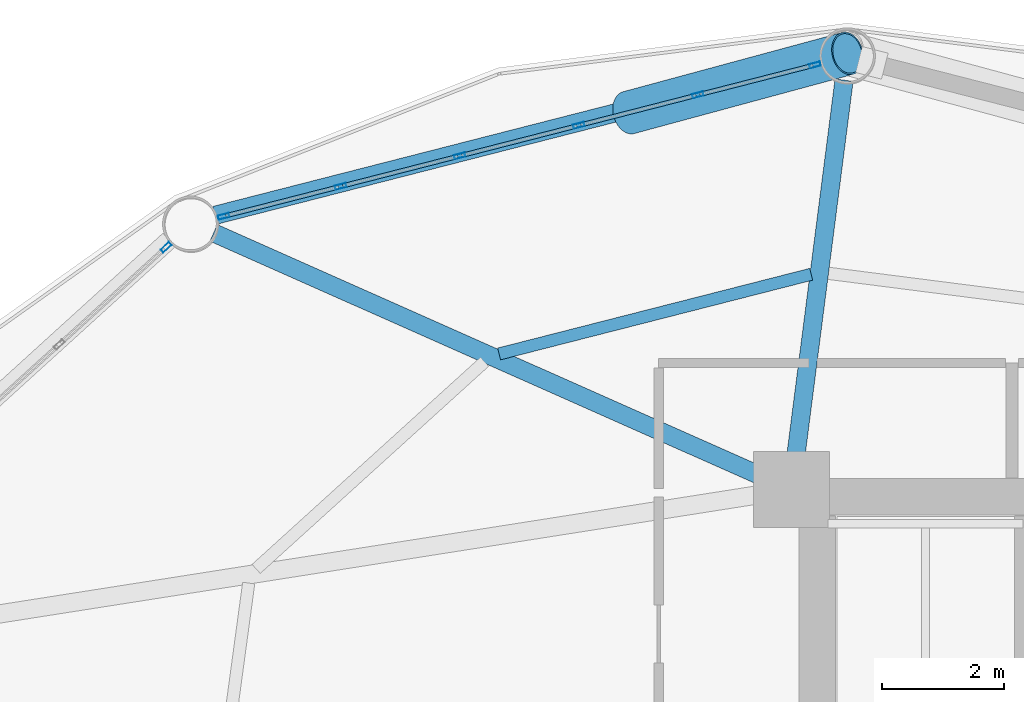
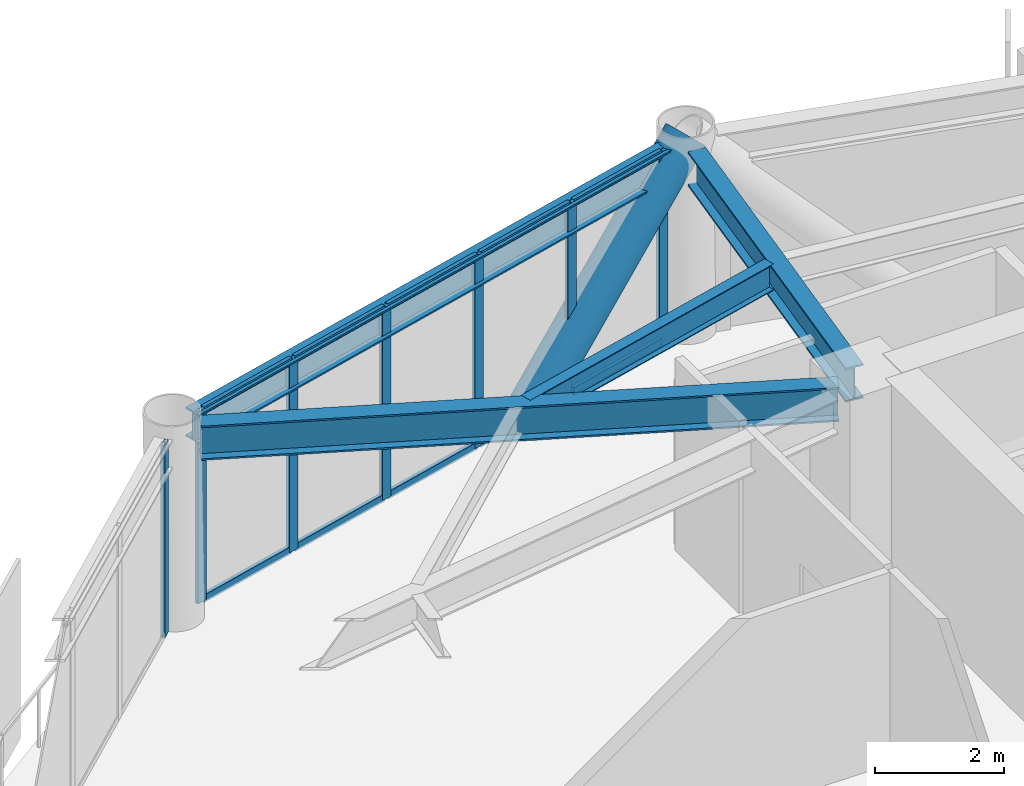
# One storey, part 16 of 25: 18 members, 4 beams, 2 elements without a shape of their own.
"""IFC4 building model written with IfcOpenShell, lengths in metres."""

import ifcopenshell
import ifcopenshell.guid

model = None  # the IFC model being written
_history = None  # IfcOwnerHistory: only IFC2X3 demands one
_inside = {}  # id of a spatial element -> (the spatial element, [elements in it])
_under = {}  # id of a project, library or spatial element -> (it, [spatial elements below it])
_declared = {}  # id of a project -> (the project, [libraries it declares])
_typed = {}  # id of a type object -> (the type object, [elements of that type])
_made_of = {}  # id of a material, layer set ... -> (it, [elements and type objects made of it])


def new_model(schema):
    """Start an empty IFC model of exactly this schema.

    Asked for "IFC4X3", IfcOpenShell would pick the latest addendum, in which some entities
    have other attributes; the version numbers below select the first issue.
    IFC2X3 requires an IfcOwnerHistory on every rooted entity: one is made here for all.
    """
    global model, _history
    if schema == "IFC4X3":
        model = ifcopenshell.file(schema_version=(4, 3, 0, 0))
    else:
        model = ifcopenshell.file(schema=schema)
    _inside.clear()
    _under.clear()
    _declared.clear()
    _typed.clear()
    _made_of.clear()
    _history = None
    if model.schema == "IFC2X3":
        org = make("IfcOrganization", Name="unknown")
        user = make(
            "IfcPersonAndOrganization",
            ThePerson=make("IfcPerson", FamilyName="unknown"),
            TheOrganization=org,
        )
        app = make(
            "IfcApplication",
            ApplicationDeveloper=org,
            Version="unknown",
            ApplicationFullName="unknown",
            ApplicationIdentifier="unknown",
        )
        _history = make(
            "IfcOwnerHistory",
            OwningUser=user,
            OwningApplication=app,
            ChangeAction="ADDED",
            CreationDate=0,
        )
    return model


def make(cls, **values):
    """One entity of the class cls with the attributes given. An attribute that is None is left unset."""
    return model.create_entity(
        cls, **{name: value for name, value in values.items() if value is not None}
    )


def rooted(cls, **values):
    """An entity with a GlobalId (a new one), such as an element, a storey or a relation."""
    return make(cls, GlobalId=ifcopenshell.guid.new(), OwnerHistory=_history, **values)


def si_unit(unit_type, name, prefix=None):
    """IfcSIUnit, for example si_unit("LENGTHUNIT", "METRE", prefix="MILLI")."""
    return make("IfcSIUnit", UnitType=unit_type, Prefix=prefix, Name=name)


def assignment(units):
    """IfcUnitAssignment: the units of a project."""
    return None if units is None else make("IfcUnitAssignment", Units=units)


def point(xyz):
    """IfcCartesianPoint."""
    return None if xyz is None else make("IfcCartesianPoint", Coordinates=xyz)


def direction(xyz):
    """IfcDirection."""
    return None if xyz is None else make("IfcDirection", DirectionRatios=xyz)


def frame(location, z_axis=None, x_axis=None):
    """IfcAxis2Placement3D, a coordinate frame: its origin and axes. An axis left out is left unset."""
    return make(
        "IfcAxis2Placement3D",
        Location=point(location),
        Axis=direction(z_axis),
        RefDirection=direction(x_axis),
    )


def frame_2d(location, x_axis=None):
    """IfcAxis2Placement2D, a coordinate frame in the plane: its origin and x axis."""
    return make(
        "IfcAxis2Placement2D", Location=point(location), RefDirection=direction(x_axis)
    )


def origin():
    """The frame at (0, 0, 0) with its axes left unset."""
    return frame((0.0, 0.0, 0.0))


def origin_2d():
    """The frame at (0, 0) in the plane with its x axis left unset."""
    return frame_2d((0.0, 0.0))


def place(relative_to, where):
    """IfcLocalPlacement: puts the frame where relative to a parent placement (None: the world)."""
    return make(
        "IfcLocalPlacement", PlacementRelTo=relative_to, RelativePlacement=where
    )


def context(
    kind, dimensions, precision=None, world=None, true_north=None, identifier=None
):
    """IfcGeometricRepresentationContext, for example the 3D "Model" context."""
    return make(
        "IfcGeometricRepresentationContext",
        ContextIdentifier=identifier,
        ContextType=kind,
        CoordinateSpaceDimension=dimensions,
        Precision=precision,
        WorldCoordinateSystem=world,
        TrueNorth=true_north,
    )


def subcontext(parent, identifier, kind, view, scale=None):
    """IfcGeometricRepresentationSubContext, for example "Body" below "Model"."""
    return make(
        "IfcGeometricRepresentationSubContext",
        ContextIdentifier=identifier,
        ContextType=kind,
        ParentContext=parent,
        TargetScale=scale,
        TargetView=view,
    )


def project(units=None, contexts=None):
    """IfcProject with its units and contexts."""
    return rooted(
        "IfcProject",
        Name="project",
        RepresentationContexts=contexts,
        UnitsInContext=assignment(units),
    )


def spatial(cls, under=None, at=None, **own):
    """A site, building, storey or space (cls), placed at a placement, below another one or the project."""
    s = rooted(cls, ObjectPlacement=at, **own)
    if under is not None:
        _under.setdefault(under.id(), (under, []))[1].append(s)
    return s


def profile(cls, at=None, kind="AREA", **sizes):
    """A parametric profile (cls). Its sizes go by their IFC names, for example OverallWidth=200.0."""
    return make(cls, ProfileType=kind, Position=at, **sizes)


def hollow_rectangle(**sizes):
    """IfcRectangleHollowProfileDef."""
    return profile("IfcRectangleHollowProfileDef", **sizes)


def hollow_circle(**sizes):
    """IfcCircleHollowProfileDef."""
    return profile("IfcCircleHollowProfileDef", **sizes)


def i_section(**sizes):
    """IfcIShapeProfileDef."""
    return profile("IfcIShapeProfileDef", **sizes)


def extrude(swept, where, along, depth):
    """IfcExtrudedAreaSolid: the profile swept, set in the frame where, extruded along a direction by depth."""
    return make(
        "IfcExtrudedAreaSolid",
        SweptArea=swept,
        Position=where,
        ExtrudedDirection=direction(along),
        Depth=depth,
    )


def shape(context_of_items, identifier, shape_type, items):
    """IfcShapeRepresentation: the items that make up one representation, for example the "Body"."""
    return make(
        "IfcShapeRepresentation",
        ContextOfItems=context_of_items,
        RepresentationIdentifier=identifier,
        RepresentationType=shape_type,
        Items=items,
    )


def material(Name=None, Category=None):
    """IfcMaterial."""
    return make("IfcMaterial", Name=Name, Category=Category)


def layer(
    of_material, thickness, ventilated=None, Name=None, Category=None, Priority=None
):
    """IfcMaterialLayer: one layer of a wall or slab, of a material (None: an air gap)."""
    return make(
        "IfcMaterialLayer",
        Material=of_material,
        LayerThickness=thickness,
        IsVentilated=ventilated,
        Name=Name,
        Category=Category,
        Priority=Priority,
    )


def layer_set(layers, Name=None):
    """IfcMaterialLayerSet."""
    return make("IfcMaterialLayerSet", MaterialLayers=layers, LayerSetName=Name)


def material_profile(
    of_material, cross_section, Name=None, Category=None, Priority=None
):
    """IfcMaterialProfile: a cross section and its material."""
    return make(
        "IfcMaterialProfile",
        Name=Name,
        Material=of_material,
        Profile=cross_section,
        Priority=Priority,
        Category=Category,
    )


def profile_set(profiles, Name=None, composite=None):
    """IfcMaterialProfileSet."""
    return make(
        "IfcMaterialProfileSet",
        Name=Name,
        MaterialProfiles=profiles,
        CompositeProfile=composite,
    )


def made_of(thing, what):
    """Note that an element or type object is made of a material, layer set ...; save() writes the relation."""
    if what is not None:
        _made_of.setdefault(what.id(), (what, []))[1].append(thing)
    return thing


def type_object(cls, material=None, **own):
    """A type object (cls), such as IfcWallType, which elements share."""
    return made_of(rooted(cls, **own), material)


def element(
    cls,
    number,
    at=None,
    inside=None,
    cuts=None,
    type_object=None,
    material=None,
    context=None,
    identifier="Body",
    shape_type=None,
    held_by="IfcProductDefinitionShape",
    body=None,
    shapes=None,
    **own,
):
    """One element of the class cls, such as IfcWall. Its Tag is "e" and its number.

    at: its placement. inside: the storey or other place that contains it. cuts: it is an
    opening in that element (IfcRelVoidsElement). A single representation is given by context,
    identifier, shape_type and body (its items); several are given by shapes. held_by: the class
    of the entity that holds the representations. save() writes the other relations.
    """
    e = rooted(cls, Tag="e%d" % number, ObjectPlacement=at, **own)
    if body is not None:
        shapes = [shape(context, identifier, shape_type, body)]
    if shapes is not None:
        e.Representation = make(held_by, Representations=shapes)
    if inside is not None:
        _inside.setdefault(inside.id(), (inside, []))[1].append(e)
    if cuts is not None:
        rooted(
            "IfcRelVoidsElement", RelatingBuildingElement=cuts, RelatedOpeningElement=e
        )
    if type_object is not None:
        _typed.setdefault(type_object.id(), (type_object, []))[1].append(e)
    return made_of(e, material)


def aggregate(whole, parts):
    """IfcRelAggregates: a whole, such as a stair, and the parts it consists of."""
    return rooted("IfcRelAggregates", RelatingObject=whole, RelatedObjects=parts)


def save(model, path):
    """Write the relations noted so far, then the file.

    IfcRelAggregates (storeys below a building ...), IfcRelContainedInSpatialStructure (elements
    in a storey), IfcRelDefinesByType, IfcRelAssociatesMaterial and IfcRelDeclares: one each for
    every whole, place, type object, material and project.
    """
    for whole, parts in _under.values():
        aggregate(whole, parts)
    for where, things in _inside.values():
        rooted(
            "IfcRelContainedInSpatialStructure",
            RelatedElements=things,
            RelatingStructure=where,
        )
    for kind, things in _typed.values():
        rooted("IfcRelDefinesByType", RelatedObjects=things, RelatingType=kind)
    for what, things in _made_of.values():
        rooted("IfcRelAssociatesMaterial", RelatedObjects=things, RelatingMaterial=what)
    for by, libraries in _declared.values():
        rooted("IfcRelDeclares", RelatingContext=by, RelatedDefinitions=libraries)
    model.write(path)


model = new_model("IFC4")

# Units and contexts
model_context = context("Model", 3, precision=1e-05, world=origin(), true_north=direction((0.0, 1.0)))
body_context = subcontext(model_context, "Body", "Model", "MODEL_VIEW")
ifc_project = project(units=[si_unit("LENGTHUNIT", "METRE"), si_unit("AREAUNIT", "SQUARE_METRE"), si_unit("VOLUMEUNIT", "CUBIC_METRE"), si_unit("PLANEANGLEUNIT", "RADIAN"), si_unit("MASSUNIT", "GRAM", prefix="KILO")], contexts=[model_context])

# Site, building, storey
site_placement = place(None, origin())
site = spatial("IfcSite", under=ifc_project, at=site_placement, CompositionType="ELEMENT")
building_placement = place(site_placement, origin())
building = spatial("IfcBuilding", under=site, at=building_placement, Name="Varnakorn Sky Granary", CompositionType="ELEMENT")
storey_placement = place(building_placement, frame((0.0, 0.0, 70.5)))
storey = spatial("IfcBuildingStorey", under=building, at=storey_placement, Name="L17", CompositionType="ELEMENT", Elevation=70.5)

# Beams
ifc_material_1 = material(Name="Steel S355JR", Category="steel")
ifc_material_profile_1 = material_profile(ifc_material_1, i_section(OverallWidth=0.300048828125, OverallDepth=0.64990234375, WebThickness=0.01611328125, FlangeThickness=0.031005859375, at=origin_2d()), Name="HE 650 B")
ifc_profile_set_1 = profile_set([ifc_material_profile_1], Name="Steel S355JR")
beam_type_1 = type_object("IfcBeamType", Name="BM-RAD-Z1", PredefinedType="BEAM", material=ifc_profile_set_1)
beam_1_placement = place(storey_placement, frame((-2.366455078125, 13.03662109375, 3.31494140625), z_axis=(0.127413270229, 0.991849715718, 0.0), x_axis=(-0.991849715718, 0.127413270229, 0.0)))
element("IfcBeam", 1, at=beam_1_placement, inside=storey, type_object=beam_type_1, Name="Radial Floor Girder RG04 L17", PredefinedType="BEAM", context=body_context, shape_type="SweptSolid", body=[
    extrude(i_section(OverallWidth=0.300048828125, OverallDepth=0.64990234375, WebThickness=0.01611328125, FlangeThickness=0.031005859375, at=origin_2d()), origin(), (0.0, 0.0, 1.0), 6.357666015625),
])
beam_2_placement = place(storey_placement, frame((-2.8037109375, 12.79052734375, 3.31494140625), z_axis=(-0.913924686131, 0.405883811059, 0.0), x_axis=(-0.405883811059, -0.913924686131, 0.0)))
element("IfcBeam", 2, at=beam_2_placement, inside=storey, type_object=beam_type_1, Name="Radial Floor Girder RG05 L17", PredefinedType="BEAM", context=body_context, shape_type="SweptSolid", body=[
    extrude(i_section(OverallWidth=0.300048828125, OverallDepth=0.64990234375, WebThickness=0.01611328125, FlangeThickness=0.031005859375, at=origin_2d()), origin(), (0.0, 0.0, 1.0), 9.96337890625),
])
ifc_material_profile_2 = material_profile(ifc_material_1, i_section(OverallWidth=0.199951171875, OverallDepth=0.5, WebThickness=0.01025390625, FlangeThickness=0.01611328125, at=origin_2d()), Name="IPE 500")
ifc_profile_set_2 = profile_set([ifc_material_profile_2], Name="Steel S355JR")
beam_type_2 = type_object("IfcBeamType", Name="BM-SEC-Z1", PredefinedType="BEAM", material=ifc_profile_set_2)
beam_3_placement = place(storey_placement, frame((-2.09716796875, 16.155029296875, 3.389892578125), z_axis=(-0.968933013162, -0.247323302592, 0.0), x_axis=(0.247323302592, -0.968933013162, 0.0)))
element("IfcBeam", 3, at=beam_3_placement, inside=storey, type_object=beam_type_2, Name="Secondary Floor Chord Beam MSB04 L17", PredefinedType="BEAM", context=body_context, shape_type="SweptSolid", body=[
    extrude(i_section(OverallWidth=0.199951171875, OverallDepth=0.5, WebThickness=0.01025390625, FlangeThickness=0.01611328125, at=origin_2d()), origin(), (0.0, 0.0, 1.0), 5.2880859375),
])
ifc_material_profile_3 = material_profile(ifc_material_1, i_section(OverallWidth=0.300048828125, OverallDepth=0.550048828125, WebThickness=0.014892578125, FlangeThickness=0.029052734375, at=origin_2d()), Name="HE 550 B")
ifc_profile_set_3 = profile_set([ifc_material_profile_3], Name="Steel S355JR")
beam_type_3 = type_object("IfcBeamType", Name="BM-SPD-Z1", PredefinedType="SPANDREL", material=ifc_profile_set_3)
beam_4_placement = place(storey_placement, frame((-1.92822265625, 19.67138671875, 3.364990234375), z_axis=(-0.968786255359, -0.247897542196, 0.0), x_axis=(0.247897542196, -0.968786255359, 0.0)))
element("IfcBeam", 4, at=beam_4_placement, inside=storey, type_object=beam_type_3, Name="Perimeter Spandrel Ring Beam RB04 L17", PredefinedType="SPANDREL", context=body_context, shape_type="SweptSolid", body=[
    extrude(i_section(OverallWidth=0.300048828125, OverallDepth=0.550048828125, WebThickness=0.014892578125, FlangeThickness=0.029052734375, at=origin_2d()), origin(), (0.0, 0.0, 1.0), 10.27783203125),
])

# Curtain wall, members
ifc_material_2 = material(Name="Anodised Bronze Aluminium Alloy 6063-T6", Category="aluminium")
ifc_layer = layer(ifc_material_2, 0.18994140625, Name="Anodised Bronze Aluminium Alloy 6063-T6")
ifc_layer_set = layer_set([ifc_layer], Name="Anodised Bronze Aluminium Alloy 6063-T6")
curtain_wall_type = type_object("IfcCurtainWallType", Name="CW-FRM-1", PredefinedType="USERDEFINED", material=ifc_layer_set)
curtain_wall_1_placement = place(storey_placement, origin())
curtain_wall_1 = element("IfcCurtainWall", 5, at=curtain_wall_1_placement, inside=storey, type_object=curtain_wall_type, Name="Unitised Curtain Wall CW3 CW-L17-B04", ObjectType="CURTAIN WALL", PredefinedType="USERDEFINED")
ifc_material_profile_4 = material_profile(ifc_material_2, hollow_rectangle(XDim=0.070068359375, YDim=0.18505859375, WallThickness=0.00390625, at=origin_2d()), Name="ALU MULL 70x185")
ifc_profile_set_4 = profile_set([ifc_material_profile_4], Name="Anodised Bronze Aluminium Alloy 6063-T6")
member_type_1 = type_object("IfcMemberType", Name="CW-FRM-1-MULL", PredefinedType="MULLION", material=ifc_profile_set_4)
member_1_placement = place(storey_placement, frame((-11.744873046875, 17.105712890625, 0.0), z_axis=(0.0, 0.0, 1.0), x_axis=(-0.248054256389, 0.968746141095, 0.0)))
member_1 = element("IfcMember", 6, at=member_1_placement, type_object=member_type_1, Name="CW3 mullion 1", PredefinedType="MULLION", context=body_context, shape_type="SweptSolid", body=[
    extrude(hollow_rectangle(XDim=0.070068359375, YDim=0.18505859375, WallThickness=0.00390625, at=origin_2d()), origin(), (0.0, 0.0, 1.0), 3.639892578125),
])
member_2_placement = place(storey_placement, frame((-9.822998046875, 17.597900390625, 0.0), z_axis=(0.0, 0.0, 1.0), x_axis=(-0.248054256389, 0.968746141095, 0.0)))
member_2 = element("IfcMember", 7, at=member_2_placement, type_object=member_type_1, Name="CW3 mullion 2", PredefinedType="MULLION", context=body_context, shape_type="SweptSolid", body=[
    extrude(hollow_rectangle(XDim=0.070068359375, YDim=0.18505859375, WallThickness=0.00390625, at=origin_2d()), origin(), (0.0, 0.0, 1.0), 3.639892578125),
])
member_3_placement = place(storey_placement, frame((-7.867431640625, 18.0986328125, 0.0), z_axis=(0.0, 0.0, 1.0), x_axis=(-0.248054256389, 0.968746141095, 0.0)))
member_3 = element("IfcMember", 8, at=member_3_placement, type_object=member_type_1, Name="CW3 mullion 3", PredefinedType="MULLION", context=body_context, shape_type="SweptSolid", body=[
    extrude(hollow_rectangle(XDim=0.070068359375, YDim=0.18505859375, WallThickness=0.00390625, at=origin_2d()), origin(), (0.0, 0.0, 1.0), 3.639892578125),
])
member_4_placement = place(storey_placement, frame((-5.911865234375, 18.599365234375, 0.0), z_axis=(0.0, 0.0, 1.0), x_axis=(-0.248054256389, 0.968746141095, 0.0)))
member_4 = element("IfcMember", 9, at=member_4_placement, type_object=member_type_1, Name="CW3 mullion 4", PredefinedType="MULLION", context=body_context, shape_type="SweptSolid", body=[
    extrude(hollow_rectangle(XDim=0.070068359375, YDim=0.18505859375, WallThickness=0.00390625, at=origin_2d()), origin(), (0.0, 0.0, 1.0), 3.639892578125),
])
member_5_placement = place(storey_placement, frame((-3.956298828125, 19.10009765625, 0.0), z_axis=(0.0, 0.0, 1.0), x_axis=(-0.248054256389, 0.968746141095, 0.0)))
member_5 = element("IfcMember", 10, at=member_5_placement, type_object=member_type_1, Name="CW3 mullion 5", PredefinedType="MULLION", context=body_context, shape_type="SweptSolid", body=[
    extrude(hollow_rectangle(XDim=0.070068359375, YDim=0.18505859375, WallThickness=0.00390625, at=origin_2d()), origin(), (0.0, 0.0, 1.0), 3.639892578125),
])
member_6_placement = place(storey_placement, frame((-2.03466796875, 19.592041015625, 0.0), z_axis=(0.0, 0.0, 1.0), x_axis=(-0.248054256389, 0.968746141095, 0.0)))
member_6 = element("IfcMember", 11, at=member_6_placement, type_object=member_type_1, Name="CW3 mullion 6", PredefinedType="MULLION", context=body_context, shape_type="SweptSolid", body=[
    extrude(hollow_rectangle(XDim=0.070068359375, YDim=0.18505859375, WallThickness=0.00390625, at=origin_2d()), origin(), (0.0, 0.0, 1.0), 3.639892578125),
])

# Curtain wall, member
curtain_wall_2_placement = place(storey_placement, origin())
curtain_wall_2 = element("IfcCurtainWall", 12, at=curtain_wall_2_placement, inside=storey, type_object=curtain_wall_type, Name="Unitised Curtain Wall CW3 CW-L17-B05", ObjectType="CURTAIN WALL", PredefinedType="USERDEFINED")
member_7_placement = place(storey_placement, frame((-12.68798828125, 16.59765625, 0.0), z_axis=(0.0, 0.0, 1.0), x_axis=(-0.672582331683, 0.740022301764, 0.0)))
member_7 = element("IfcMember", 13, at=member_7_placement, type_object=member_type_1, Name="CW3 mullion 5", PredefinedType="MULLION", context=body_context, shape_type="SweptSolid", body=[
    extrude(hollow_rectangle(XDim=0.070068359375, YDim=0.18505859375, WallThickness=0.00390625, at=origin_2d()), origin(), (0.0, 0.0, 1.0), 3.639892578125),
])
aggregate(curtain_wall_2, [member_7])

# Member
ifc_material_profile_5 = material_profile(ifc_material_2, hollow_rectangle(XDim=0.070068359375, YDim=0.139892578125, WallThickness=0.00341796875, at=origin_2d()), Name="ALU TRAN 70x140")
ifc_profile_set_5 = profile_set([ifc_material_profile_5], Name="Anodised Bronze Aluminium Alloy 6063-T6")
member_type_2 = type_object("IfcMemberType", Name="CW-FRM-1-TRAN", PredefinedType="USERDEFINED", material=ifc_profile_set_5)
member_8_placement = place(storey_placement, frame((-11.7109375, 17.114501953125, 0.034912109375), z_axis=(0.96876137669, 0.247994747996, 0.0), x_axis=(-0.247994747996, 0.96876137669, 0.0)))
member_8 = element("IfcMember", 14, at=member_8_placement, type_object=member_type_2, Name="CW3 transom 1.1", ObjectType="TRANSOM", PredefinedType="USERDEFINED", context=body_context, shape_type="SweptSolid", body=[
    extrude(hollow_rectangle(XDim=0.070068359375, YDim=0.139892578125, WallThickness=0.00341796875, at=origin_2d()), origin(), (0.0, 0.0, 1.0), 1.913818359375),
])

member_9_placement = place(storey_placement, frame((-11.7109375, 17.114501953125, 3.60498046875), z_axis=(0.96876137669, 0.247994747996, 0.0), x_axis=(-0.247994747996, 0.96876137669, 0.0)))
member_9 = element("IfcMember", 15, at=member_9_placement, type_object=member_type_2, Name="CW3 transom 1.2", ObjectType="TRANSOM", PredefinedType="USERDEFINED", context=body_context, shape_type="SweptSolid", body=[
    extrude(hollow_rectangle(XDim=0.070068359375, YDim=0.139892578125, WallThickness=0.00341796875, at=origin_2d()), origin(), (0.0, 0.0, 1.0), 1.913818359375),
])

member_10_placement = place(storey_placement, frame((-9.789306640625, 17.6064453125, 0.034912109375), z_axis=(0.96874881986, 0.248043794559, 0.0), x_axis=(-0.248043794559, 0.96874881986, 0.0)))
member_10 = element("IfcMember", 16, at=member_10_placement, type_object=member_type_2, Name="CW3 transom 2.1", ObjectType="TRANSOM", PredefinedType="USERDEFINED", context=body_context, shape_type="SweptSolid", body=[
    extrude(hollow_rectangle(XDim=0.070068359375, YDim=0.139892578125, WallThickness=0.00341796875, at=origin_2d()), origin(), (0.0, 0.0, 1.0), 1.94873046875),
])

member_11_placement = place(storey_placement, frame((-9.789306640625, 17.6064453125, 3.60498046875), z_axis=(0.96874881986, 0.248043794559, 0.0), x_axis=(-0.248043794559, 0.96874881986, 0.0)))
member_11 = element("IfcMember", 17, at=member_11_placement, type_object=member_type_2, Name="CW3 transom 2.2", ObjectType="TRANSOM", PredefinedType="USERDEFINED", context=body_context, shape_type="SweptSolid", body=[
    extrude(hollow_rectangle(XDim=0.070068359375, YDim=0.139892578125, WallThickness=0.00341796875, at=origin_2d()), origin(), (0.0, 0.0, 1.0), 1.94873046875),
])

member_12_placement = place(storey_placement, frame((-7.833740234375, 18.107177734375, 0.034912109375), z_axis=(0.96874881986, 0.248043794559, 0.0), x_axis=(-0.248043794559, 0.96874881986, 0.0)))
member_12 = element("IfcMember", 18, at=member_12_placement, type_object=member_type_2, Name="CW3 transom 3.1", ObjectType="TRANSOM", PredefinedType="USERDEFINED", context=body_context, shape_type="SweptSolid", body=[
    extrude(hollow_rectangle(XDim=0.070068359375, YDim=0.139892578125, WallThickness=0.00341796875, at=origin_2d()), origin(), (0.0, 0.0, 1.0), 1.94873046875),
])

member_13_placement = place(storey_placement, frame((-7.833740234375, 18.107177734375, 3.60498046875), z_axis=(0.96874881986, 0.248043794559, 0.0), x_axis=(-0.248043794559, 0.96874881986, 0.0)))
member_13 = element("IfcMember", 19, at=member_13_placement, type_object=member_type_2, Name="CW3 transom 3.2", ObjectType="TRANSOM", PredefinedType="USERDEFINED", context=body_context, shape_type="SweptSolid", body=[
    extrude(hollow_rectangle(XDim=0.070068359375, YDim=0.139892578125, WallThickness=0.00341796875, at=origin_2d()), origin(), (0.0, 0.0, 1.0), 1.94873046875),
])

member_14_placement = place(storey_placement, frame((-5.878173828125, 18.60791015625, 0.034912109375), z_axis=(0.96874881986, 0.248043794559, 0.0), x_axis=(-0.248043794559, 0.96874881986, 0.0)))
member_14 = element("IfcMember", 20, at=member_14_placement, type_object=member_type_2, Name="CW3 transom 4.1", ObjectType="TRANSOM", PredefinedType="USERDEFINED", context=body_context, shape_type="SweptSolid", body=[
    extrude(hollow_rectangle(XDim=0.070068359375, YDim=0.139892578125, WallThickness=0.00341796875, at=origin_2d()), origin(), (0.0, 0.0, 1.0), 1.94873046875),
])

member_15_placement = place(storey_placement, frame((-5.878173828125, 18.60791015625, 3.60498046875), z_axis=(0.96874881986, 0.248043794559, 0.0), x_axis=(-0.248043794559, 0.96874881986, 0.0)))
member_15 = element("IfcMember", 21, at=member_15_placement, type_object=member_type_2, Name="CW3 transom 4.2", ObjectType="TRANSOM", PredefinedType="USERDEFINED", context=body_context, shape_type="SweptSolid", body=[
    extrude(hollow_rectangle(XDim=0.070068359375, YDim=0.139892578125, WallThickness=0.00341796875, at=origin_2d()), origin(), (0.0, 0.0, 1.0), 1.94873046875),
])

member_16_placement = place(storey_placement, frame((-3.92236328125, 19.108642578125, 0.034912109375), z_axis=(0.968722867549, 0.248145130697, 0.0), x_axis=(-0.248145130697, 0.968722867549, 0.0)))
member_16 = element("IfcMember", 22, at=member_16_placement, type_object=member_type_2, Name="CW3 transom 5.1", ObjectType="TRANSOM", PredefinedType="USERDEFINED", context=body_context, shape_type="SweptSolid", body=[
    extrude(hollow_rectangle(XDim=0.070068359375, YDim=0.139892578125, WallThickness=0.00341796875, at=origin_2d()), origin(), (0.0, 0.0, 1.0), 1.91357421875),
])

member_17_placement = place(storey_placement, frame((-3.92236328125, 19.108642578125, 3.60498046875), z_axis=(0.968722867549, 0.248145130697, 0.0), x_axis=(-0.248145130697, 0.968722867549, 0.0)))
member_17 = element("IfcMember", 23, at=member_17_placement, type_object=member_type_2, Name="CW3 transom 5.2", ObjectType="TRANSOM", PredefinedType="USERDEFINED", context=body_context, shape_type="SweptSolid", body=[
    extrude(hollow_rectangle(XDim=0.070068359375, YDim=0.139892578125, WallThickness=0.00341796875, at=origin_2d()), origin(), (0.0, 0.0, 1.0), 1.91357421875),
])

aggregate(curtain_wall_1, [member_1, member_2, member_3, member_4, member_5, member_6, member_8, member_9, member_10, member_11, member_12, member_13, member_14, member_15, member_16, member_17])

ifc_material_3 = material(Name="Steel S460M", Category="steel")
ifc_material_profile_6 = material_profile(ifc_material_3, hollow_circle(Radius=0.35546875, WallThickness=0.02490234375, at=origin_2d()), Name="CHS 711x25")
ifc_profile_set_6 = profile_set([ifc_material_profile_6], Name="Steel S460M")
member_type_3 = type_object("IfcMemberType", Name="MB-DIAG-T0", PredefinedType="BRACE", material=ifc_profile_set_6)
member_18_placement = place(storey_placement, frame((-5.09326171875, 18.80908203125, -0.1298828125), z_axis=(0.678247143993, 0.183455760309, 0.71156503264), x_axis=(-0.261102298752, 0.965311136156, 0.0)))
element("IfcMember", 24, at=member_18_placement, inside=storey, type_object=member_type_3, Name="Perimeter CHS Diagrid Brace DG04 L17", PredefinedType="BRACE", context=body_context, shape_type="SweptSolid", body=[
    extrude(hollow_circle(Radius=0.35546875, WallThickness=0.02490234375, at=origin_2d()), origin(), (0.0, 0.0, 1.0), 5.2978515625),
])

save(model, "model.ifc")
